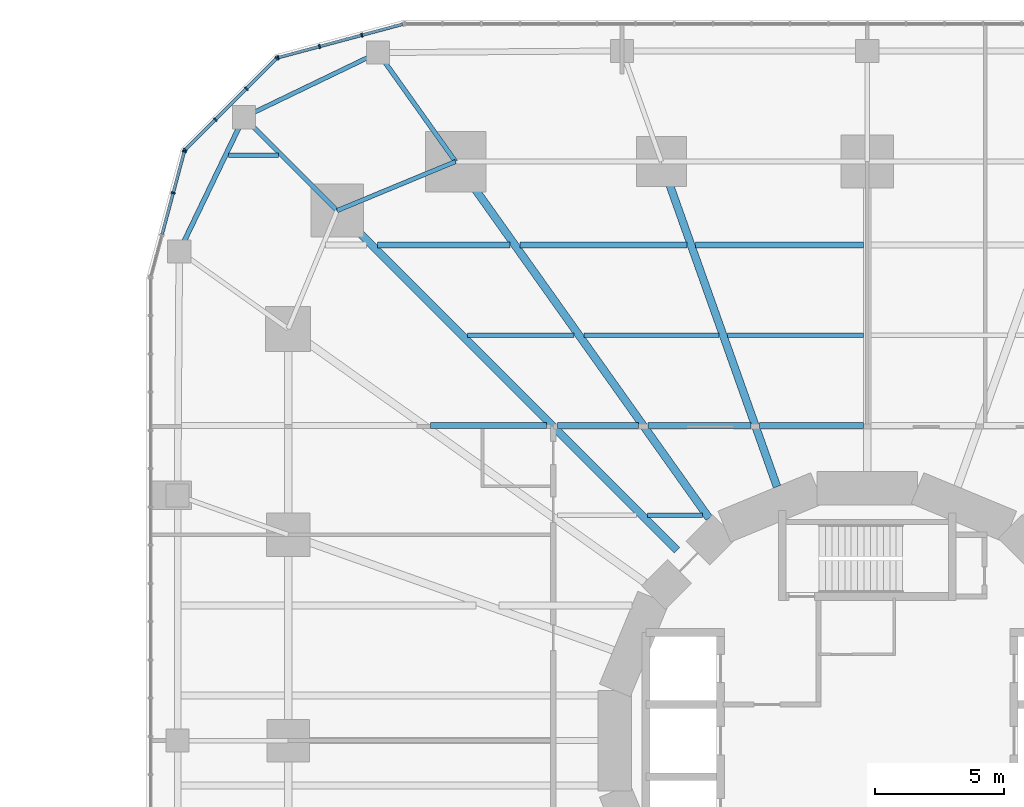
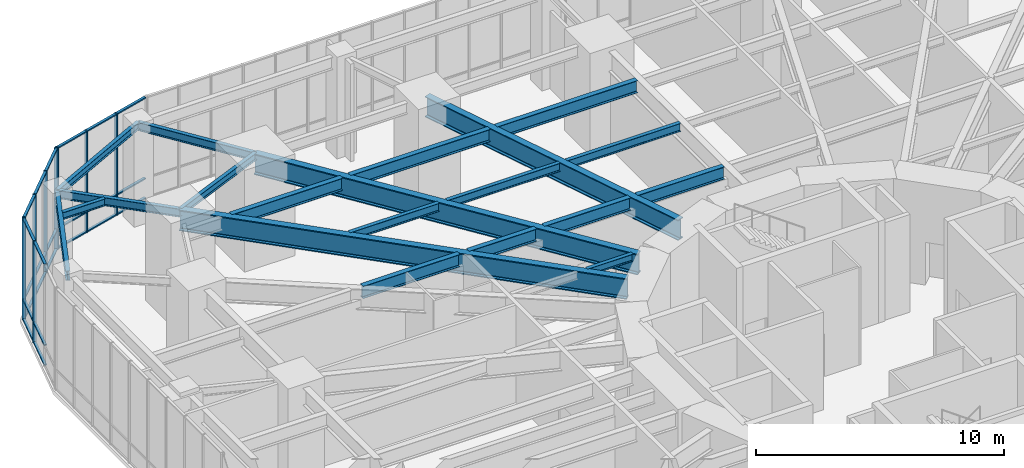
# One storey, part 10 of 24: 33 members, 20 beams, 3 elements without a shape of their own.
"""IFC4 building model written with IfcOpenShell, lengths in metres."""

from ifc_helpers import new_model, si_unit, direction, frame, origin, origin_2d, place, context, subcontext, project, spatial, rectangle, i_section, extrude, material, material_profile, profile_set, type_object, element, aggregate, save


model = new_model("IFC4")

# Units and contexts
model_context = context("Model", 3, precision=1e-05, world=origin(), true_north=direction((0.0, 1.0)))
body_context = subcontext(model_context, "Body", "Model", "MODEL_VIEW")
ifc_project = project(units=[si_unit("LENGTHUNIT", "METRE"), si_unit("AREAUNIT", "SQUARE_METRE"), si_unit("VOLUMEUNIT", "CUBIC_METRE"), si_unit("PLANEANGLEUNIT", "RADIAN"), si_unit("MASSUNIT", "GRAM", prefix="KILO")], contexts=[model_context])

# Site, building, storey
site_placement = place(None, origin())
site = spatial("IfcSite", under=ifc_project, at=site_placement, CompositionType="ELEMENT")
building_placement = place(site_placement, origin())
building = spatial("IfcBuilding", under=site, at=building_placement, Name="Nakasero Lantern House", CompositionType="ELEMENT")
storey_placement = place(building_placement, frame((0.0, 0.0, 6.0)))
storey = spatial("IfcBuildingStorey", under=building, at=storey_placement, Name="L01", CompositionType="ELEMENT", Elevation=6.0)

# Beams
ifc_material_1 = material(Name="Steel S355", Category="steel")
ifc_material_profile_1 = material_profile(ifc_material_1, i_section(OverallWidth=0.17138671875, OverallDepth=0.35498046875, WebThickness=0.00732421875, FlangeThickness=0.011474609375, FilletRadius=0.01025390625, at=origin_2d()), Name="UB 356x171x51")
ifc_profile_set_1 = profile_set([ifc_material_profile_1], Name="Steel S355")
beam_type_1 = type_object("IfcBeamType", Name="Infill beam UB 356x171x51", PredefinedType="JOIST", material=ifc_profile_set_1)
beam_1_placement = place(storey_placement, frame((-8.533935546875, 8.75, 4.62255859375), z_axis=(1.0, 0.0, 0.0), x_axis=(0.0, 1.0, 0.0)))
element("IfcBeam", 1, at=beam_1_placement, inside=storey, type_object=beam_type_1, Name="Infill beam L02 11.2", PredefinedType="JOIST", context=body_context, shape_type="SweptSolid", body=[
    extrude(i_section(OverallWidth=0.17138671875, OverallDepth=0.35498046875, WebThickness=0.00732421875, FlangeThickness=0.011474609375, FilletRadius=0.01025390625, at=origin_2d()), origin(), (0.0, 0.0, 1.0), 2.124267578125),
])
beam_2_placement = place(storey_placement, frame((-24.82666015625, 22.75, 4.62255859375), z_axis=(1.0, 0.0, 0.0), x_axis=(0.0, 1.0, 0.0)))
element("IfcBeam", 2, at=beam_2_placement, inside=storey, type_object=beam_type_1, Name="Infill beam L02 15.1", PredefinedType="JOIST", context=body_context, shape_type="SweptSolid", body=[
    extrude(i_section(OverallWidth=0.17138671875, OverallDepth=0.35498046875, WebThickness=0.00732421875, FlangeThickness=0.011474609375, FilletRadius=0.01025390625, at=origin_2d()), origin(), (0.0, 0.0, 1.0), 1.950927734375),
])
ifc_material_2 = material(Name="Steel S355", Category="steel")
ifc_material_profile_2 = material_profile(ifc_material_2, i_section(OverallWidth=0.177978515625, OverallDepth=0.406494140625, WebThickness=0.0078125, FlangeThickness=0.0126953125, FilletRadius=0.01025390625, at=origin_2d()), Name="UB 406x178x60")
ifc_profile_set_2 = profile_set([ifc_material_profile_2], Name="Steel S355")
beam_type_2 = type_object("IfcBeamType", Name="Infill beam UB 406x178x60", PredefinedType="JOIST", material=ifc_profile_set_2)
beam_3_placement = place(storey_placement, frame((-15.533935546875, 15.75, 4.5966796875), z_axis=(1.0, 0.0, 0.0), x_axis=(0.0, 1.0, 0.0)))
element("IfcBeam", 3, at=beam_3_placement, inside=storey, type_object=beam_type_2, Name="Infill beam L02 13.1", PredefinedType="JOIST", context=body_context, shape_type="SweptSolid", body=[
    extrude(i_section(OverallWidth=0.177978515625, OverallDepth=0.406494140625, WebThickness=0.0078125, FlangeThickness=0.0126953125, FilletRadius=0.01025390625, at=origin_2d()), origin(), (0.0, 0.0, 1.0), 4.146484375),
])
beam_4_placement = place(storey_placement, frame((-11.0126953125, 15.75, 4.5966796875), z_axis=(1.0, 0.0, 0.0), x_axis=(0.0, 1.0, 0.0)))
element("IfcBeam", 4, at=beam_4_placement, inside=storey, type_object=beam_type_2, Name="Infill beam L02 13.2", PredefinedType="JOIST", context=body_context, shape_type="SweptSolid", body=[
    extrude(i_section(OverallWidth=0.177978515625, OverallDepth=0.406494140625, WebThickness=0.0078125, FlangeThickness=0.0126953125, FilletRadius=0.01025390625, at=origin_2d()), origin(), (0.0, 0.0, 1.0), 5.25244140625),
])
beam_5_placement = place(storey_placement, frame((-5.439697265625, 15.75, 4.5966796875), z_axis=(1.0, 0.0, 0.0), x_axis=(0.0, 1.0, 0.0)))
element("IfcBeam", 5, at=beam_5_placement, inside=storey, type_object=beam_type_2, Name="Infill beam L02 13.3", PredefinedType="JOIST", context=body_context, shape_type="SweptSolid", body=[
    extrude(i_section(OverallWidth=0.177978515625, OverallDepth=0.406494140625, WebThickness=0.0078125, FlangeThickness=0.0126953125, FilletRadius=0.01025390625, at=origin_2d()), origin(), (0.0, 0.0, 1.0), 5.289794921875),
])
ifc_material_3 = material(Name="Steel S355", Category="steel")
ifc_material_profile_3 = material_profile(ifc_material_3, i_section(OverallWidth=0.22900390625, OverallDepth=0.6123046875, WebThickness=0.011962890625, FlangeThickness=0.01953125, FilletRadius=0.0126953125, at=origin_2d()), Name="UB 610x229x125")
ifc_profile_set_3 = profile_set([ifc_material_profile_3], Name="Steel S355")
beam_type_3 = type_object("IfcBeamType", Name="Infill beam UB 610x229x125", PredefinedType="JOIST", material=ifc_profile_set_3)
beam_6_placement = place(storey_placement, frame((-16.965087890625, 12.25, 4.493896484375), z_axis=(1.0, 0.0, 0.0), x_axis=(0.0, 1.0, 0.0)))
element("IfcBeam", 6, at=beam_6_placement, inside=storey, type_object=beam_type_3, Name="Infill beam L02 12.3", PredefinedType="JOIST", context=body_context, shape_type="SweptSolid", body=[
    extrude(i_section(OverallWidth=0.22900390625, OverallDepth=0.6123046875, WebThickness=0.011962890625, FlangeThickness=0.01953125, FilletRadius=0.0126953125, at=origin_2d()), origin(), (0.0, 0.0, 1.0), 4.4990234375),
])
beam_7_placement = place(storey_placement, frame((-12.033935546875, 12.25, 4.493896484375), z_axis=(1.0, 0.0, 0.0), x_axis=(0.0, 1.0, 0.0)))
element("IfcBeam", 7, at=beam_7_placement, inside=storey, type_object=beam_type_3, Name="Infill beam L02 12.4", PredefinedType="JOIST", context=body_context, shape_type="SweptSolid", body=[
    extrude(i_section(OverallWidth=0.22900390625, OverallDepth=0.6123046875, WebThickness=0.011962890625, FlangeThickness=0.01953125, FilletRadius=0.0126953125, at=origin_2d()), origin(), (0.0, 0.0, 1.0), 3.135498046875),
])
beam_8_placement = place(storey_placement, frame((-8.523681640625, 12.25, 4.493896484375), z_axis=(1.0, 0.0, 0.0), x_axis=(0.0, 1.0, 0.0)))
element("IfcBeam", 8, at=beam_8_placement, inside=storey, type_object=beam_type_3, Name="Infill beam L02 12.5", PredefinedType="JOIST", context=body_context, shape_type="SweptSolid", body=[
    extrude(i_section(OverallWidth=0.22900390625, OverallDepth=0.6123046875, WebThickness=0.011962890625, FlangeThickness=0.01953125, FilletRadius=0.0126953125, at=origin_2d()), origin(), (0.0, 0.0, 1.0), 4.0078125),
])
beam_9_placement = place(storey_placement, frame((-4.1953125, 12.25, 4.493896484375), z_axis=(1.0, 0.0, 0.0), x_axis=(0.0, 1.0, 0.0)))
element("IfcBeam", 9, at=beam_9_placement, inside=storey, type_object=beam_type_3, Name="Infill beam L02 12.6", PredefinedType="JOIST", context=body_context, shape_type="SweptSolid", body=[
    extrude(i_section(OverallWidth=0.22900390625, OverallDepth=0.6123046875, WebThickness=0.011962890625, FlangeThickness=0.01953125, FilletRadius=0.0126953125, at=origin_2d()), origin(), (0.0, 0.0, 1.0), 4.04541015625),
])
beam_10_placement = place(storey_placement, frame((-19.033935546875, 19.25, 4.493896484375), z_axis=(1.0, 0.0, 0.0), x_axis=(0.0, 1.0, 0.0)))
element("IfcBeam", 10, at=beam_10_placement, inside=storey, type_object=beam_type_3, Name="Infill beam L02 14.2", PredefinedType="JOIST", context=body_context, shape_type="SweptSolid", body=[
    extrude(i_section(OverallWidth=0.22900390625, OverallDepth=0.6123046875, WebThickness=0.011962890625, FlangeThickness=0.01953125, FilletRadius=0.0126953125, at=origin_2d()), origin(), (0.0, 0.0, 1.0), 5.15771484375),
])
beam_11_placement = place(storey_placement, frame((-13.50146484375, 19.25, 4.493896484375), z_axis=(1.0, 0.0, 0.0), x_axis=(0.0, 1.0, 0.0)))
element("IfcBeam", 11, at=beam_11_placement, inside=storey, type_object=beam_type_3, Name="Infill beam L02 14.3", PredefinedType="JOIST", context=body_context, shape_type="SweptSolid", body=[
    extrude(i_section(OverallWidth=0.22900390625, OverallDepth=0.6123046875, WebThickness=0.011962890625, FlangeThickness=0.01953125, FilletRadius=0.0126953125, at=origin_2d()), origin(), (0.0, 0.0, 1.0), 6.496826171875),
])
beam_12_placement = place(storey_placement, frame((-6.68408203125, 19.25, 4.493896484375), z_axis=(1.0, 0.0, 0.0), x_axis=(0.0, 1.0, 0.0)))
element("IfcBeam", 12, at=beam_12_placement, inside=storey, type_object=beam_type_3, Name="Infill beam L02 14.4", PredefinedType="JOIST", context=body_context, shape_type="SweptSolid", body=[
    extrude(i_section(OverallWidth=0.22900390625, OverallDepth=0.6123046875, WebThickness=0.011962890625, FlangeThickness=0.01953125, FilletRadius=0.0126953125, at=origin_2d()), origin(), (0.0, 0.0, 1.0), 6.5341796875),
])

# Curtain wall, members
ifc_material_4 = material(Name="Aluminium 6063-T6 and glass", Category="aluminium")
curtain_wall_type = type_object("IfcCurtainWallType", Name="Podium curtain wall CW-2", PredefinedType="USERDEFINED", material=ifc_material_4)
curtain_wall_1_placement = place(storey_placement, origin())
curtain_wall_1 = element("IfcCurtainWall", 13, at=curtain_wall_1_placement, inside=storey, type_object=curtain_wall_type, Name="Curtain wall CW-2 L01", ObjectType="STICK CURTAIN WALL", PredefinedType="USERDEFINED")
ifc_material_5 = material(Name="Aluminium 6063-T6", Category="aluminium")
ifc_material_profile_4 = material_profile(ifc_material_5, rectangle(XDim=0.06005859375, YDim=0.159912109375, at=origin_2d()), Name="CW-2 mullion 60x160")
ifc_profile_set_4 = profile_set([ifc_material_profile_4], Name="Aluminium 6063-T6")
member_type_1 = type_object("IfcMemberType", Name="Mullion CW-2", PredefinedType="MULLION", material=ifc_profile_set_4)
member_1_placement = place(storey_placement, frame((-19.6416015625, 27.41015625, 0.0), z_axis=(0.0, 0.0, 1.0), x_axis=(-0.965925826289, -0.258819045103, 0.0)))
member_1 = element("IfcMember", 14, at=member_1_placement, type_object=member_type_1, Name="CW-2 mullion 2", PredefinedType="MULLION", context=body_context, shape_type="SweptSolid", body=[
    extrude(rectangle(XDim=0.06005859375, YDim=0.159912109375, at=origin_2d()), origin(), (0.0, 0.0, 1.0), 5.0),
])
member_2_placement = place(storey_placement, frame((-21.283447265625, 26.97021484375, 0.0), z_axis=(0.0, 0.0, 1.0), x_axis=(-0.965925826289, -0.258819045103, 0.0)))
member_2 = element("IfcMember", 15, at=member_2_placement, type_object=member_type_1, Name="CW-2 mullion 3", PredefinedType="MULLION", context=body_context, shape_type="SweptSolid", body=[
    extrude(rectangle(XDim=0.06005859375, YDim=0.159912109375, at=origin_2d()), origin(), (0.0, 0.0, 1.0), 5.0),
])
member_3_placement = place(storey_placement, frame((-22.89599609375, 26.5380859375, 0.0), z_axis=(0.0, 0.0, 1.0), x_axis=(-0.965925826289, -0.258819045103, 0.0)))
member_3 = element("IfcMember", 16, at=member_3_placement, type_object=member_type_1, Name="CW-2 mullion 4", PredefinedType="MULLION", context=body_context, shape_type="SweptSolid", body=[
    extrude(rectangle(XDim=0.06005859375, YDim=0.159912109375, at=origin_2d()), origin(), (0.0, 0.0, 1.0), 5.0),
])

curtain_wall_2_placement = place(storey_placement, origin())
curtain_wall_2 = element("IfcCurtainWall", 17, at=curtain_wall_2_placement, inside=storey, type_object=curtain_wall_type, Name="Curtain wall CW-2 L01", ObjectType="STICK CURTAIN WALL", PredefinedType="USERDEFINED")
member_4_placement = place(storey_placement, frame((-22.9462890625, 26.509033203125, 0.0), z_axis=(0.0, 0.0, 1.0), x_axis=(-0.707106781187, -0.707106781187, 0.0)))
member_4 = element("IfcMember", 18, at=member_4_placement, type_object=member_type_1, Name="CW-2 mullion 1", PredefinedType="MULLION", context=body_context, shape_type="SweptSolid", body=[
    extrude(rectangle(XDim=0.06005859375, YDim=0.159912109375, at=origin_2d()), origin(), (0.0, 0.0, 1.0), 5.0),
])
member_5_placement = place(storey_placement, frame((-24.126708984375, 25.32861328125, 0.0), z_axis=(0.0, 0.0, 1.0), x_axis=(-0.707106781187, -0.707106781187, 0.0)))
member_5 = element("IfcMember", 19, at=member_5_placement, type_object=member_type_1, Name="CW-2 mullion 2", PredefinedType="MULLION", context=body_context, shape_type="SweptSolid", body=[
    extrude(rectangle(XDim=0.06005859375, YDim=0.159912109375, at=origin_2d()), origin(), (0.0, 0.0, 1.0), 5.0),
])
member_6_placement = place(storey_placement, frame((-25.32861328125, 24.126708984375, 0.0), z_axis=(0.0, 0.0, 1.0), x_axis=(-0.707106781187, -0.707106781187, 0.0)))
member_6 = element("IfcMember", 20, at=member_6_placement, type_object=member_type_1, Name="CW-2 mullion 3", PredefinedType="MULLION", context=body_context, shape_type="SweptSolid", body=[
    extrude(rectangle(XDim=0.06005859375, YDim=0.159912109375, at=origin_2d()), origin(), (0.0, 0.0, 1.0), 5.0),
])
member_7_placement = place(storey_placement, frame((-26.509033203125, 22.9462890625, 0.0), z_axis=(0.0, 0.0, 1.0), x_axis=(-0.707106781187, -0.707106781187, 0.0)))
member_7 = element("IfcMember", 21, at=member_7_placement, type_object=member_type_1, Name="CW-2 mullion 4", PredefinedType="MULLION", context=body_context, shape_type="SweptSolid", body=[
    extrude(rectangle(XDim=0.06005859375, YDim=0.159912109375, at=origin_2d()), origin(), (0.0, 0.0, 1.0), 5.0),
])

curtain_wall_3_placement = place(storey_placement, origin())
curtain_wall_3 = element("IfcCurtainWall", 22, at=curtain_wall_3_placement, inside=storey, type_object=curtain_wall_type, Name="Curtain wall CW-2 L01", ObjectType="STICK CURTAIN WALL", PredefinedType="USERDEFINED")
member_8_placement = place(storey_placement, frame((-26.5380859375, 22.89599609375, 0.0), z_axis=(0.0, 0.0, 1.0), x_axis=(-0.258819045103, -0.965925826289, 0.0)))
member_8 = element("IfcMember", 23, at=member_8_placement, type_object=member_type_1, Name="CW-2 mullion 1", PredefinedType="MULLION", context=body_context, shape_type="SweptSolid", body=[
    extrude(rectangle(XDim=0.06005859375, YDim=0.159912109375, at=origin_2d()), origin(), (0.0, 0.0, 1.0), 5.0),
])
member_9_placement = place(storey_placement, frame((-26.97021484375, 21.283447265625, 0.0), z_axis=(0.0, 0.0, 1.0), x_axis=(-0.258819045103, -0.965925826289, 0.0)))
member_9 = element("IfcMember", 24, at=member_9_placement, type_object=member_type_1, Name="CW-2 mullion 2", PredefinedType="MULLION", context=body_context, shape_type="SweptSolid", body=[
    extrude(rectangle(XDim=0.06005859375, YDim=0.159912109375, at=origin_2d()), origin(), (0.0, 0.0, 1.0), 5.0),
])

# Beams
ifc_material_6 = material(Name="Steel S355", Category="steel")
ifc_material_profile_5 = material_profile(ifc_material_6, i_section(OverallWidth=0.302001953125, OverallDepth=1.008056640625, WebThickness=0.02099609375, FlangeThickness=0.0400390625, FilletRadius=0.030029296875, at=origin_2d()), Name="UB 1016x305x349")
ifc_profile_set_5 = profile_set([ifc_material_profile_5], Name="Steel S355")
beam_type_4 = type_object("IfcBeamType", Name="Primary beam UB 1016x305x349, span 12 to 15 m", PredefinedType="BEAM", material=ifc_profile_set_5)
beam_13_placement = place(storey_placement, frame((-8.0, 22.5, 4.2958984375), z_axis=(0.335010745293, -0.942214307118, 0.0), x_axis=(0.942214307118, 0.335010745293, 0.0)))
element("IfcBeam", 25, at=beam_13_placement, inside=storey, type_object=beam_type_4, Name="Primary beam L02 B1-C10", PredefinedType="BEAM", context=body_context, shape_type="SweptSolid", body=[
    extrude(i_section(OverallWidth=0.302001953125, OverallDepth=1.008056640625, WebThickness=0.02099609375, FlangeThickness=0.0400390625, FilletRadius=0.030029296875, at=origin_2d()), origin(), (0.0, 0.0, 1.0), 13.408447265625),
])
ifc_material_7 = material(Name="Steel S355", Category="steel")
ifc_material_profile_6 = material_profile(ifc_material_7, i_section(OverallWidth=0.305419921875, OverallDepth=1.026123046875, WebThickness=0.02685546875, FlangeThickness=0.049072265625, FilletRadius=0.030029296875, at=origin_2d()), Name="UB 1016x305x437")
ifc_profile_set_6 = profile_set([ifc_material_profile_6], Name="Steel S355")
beam_type_5 = type_object("IfcBeamType", Name="Primary beam UB 1016x305x437, span over 15 m", PredefinedType="BEAM", material=ifc_profile_set_6)
beam_14_placement = place(storey_placement, frame((-16.0, 22.5, 4.286865234375), z_axis=(0.579528236629, -0.814952159915, 0.0), x_axis=(0.814952159915, 0.579528236629, 0.0)))
element("IfcBeam", 26, at=beam_14_placement, inside=storey, type_object=beam_type_5, Name="Primary beam L02 B1-C11", PredefinedType="BEAM", context=body_context, shape_type="SweptSolid", body=[
    extrude(i_section(OverallWidth=0.305419921875, OverallDepth=1.026123046875, WebThickness=0.02685546875, FlangeThickness=0.049072265625, FilletRadius=0.030029296875, at=origin_2d()), origin(), (0.0, 0.0, 1.0), 17.003173828125),
])
beam_15_placement = place(storey_placement, frame((-20.59619140625, 20.59619140625, 4.286865234375), z_axis=(0.707106781187, -0.707106781187, 0.0), x_axis=(0.707106781187, 0.707106781187, 0.0)))
element("IfcBeam", 27, at=beam_15_placement, inside=storey, type_object=beam_type_5, Name="Primary beam L02 B1-C12", PredefinedType="BEAM", context=body_context, shape_type="SweptSolid", body=[
    extrude(i_section(OverallWidth=0.305419921875, OverallDepth=1.026123046875, WebThickness=0.02685546875, FlangeThickness=0.049072265625, FilletRadius=0.030029296875, at=origin_2d()), origin(), (0.0, 0.0, 1.0), 18.669677734375),
])
ifc_material_8 = material(Name="Steel S355", Category="steel")
ifc_material_profile_7 = material_profile(ifc_material_8, i_section(OverallWidth=0.177978515625, OverallDepth=0.406494140625, WebThickness=0.0078125, FlangeThickness=0.0126953125, FilletRadius=0.01025390625, at=origin_2d()), Name="UB 406x178x60")
ifc_profile_set_7 = profile_set([ifc_material_profile_7], Name="Steel S355")
beam_type_6 = type_object("IfcBeamType", Name="Primary beam UB 406x178x60, span to 6 m", PredefinedType="BEAM", material=ifc_profile_set_7)
beam_16_placement = place(storey_placement, frame((-24.22265625, 24.22265625, 4.5966796875), z_axis=(0.707106781187, -0.707106781187, 0.0), x_axis=(0.707106781187, 0.707106781187, 0.0)))
element("IfcBeam", 28, at=beam_16_placement, inside=storey, type_object=beam_type_6, Name="Primary beam L02 POD-C12", PredefinedType="BEAM", context=body_context, shape_type="SweptSolid", body=[
    extrude(i_section(OverallWidth=0.177978515625, OverallDepth=0.406494140625, WebThickness=0.0078125, FlangeThickness=0.0126953125, FilletRadius=0.01025390625, at=origin_2d()), origin(), (0.0, 0.0, 1.0), 5.128662109375),
])
ifc_material_9 = material(Name="Steel S355", Category="steel")
ifc_material_profile_8 = material_profile(ifc_material_9, i_section(OverallWidth=0.179443359375, OverallDepth=0.412841796875, WebThickness=0.009521484375, FlangeThickness=0.01611328125, FilletRadius=0.01025390625, at=origin_2d()), Name="UB 406x178x74")
ifc_profile_set_8 = profile_set([ifc_material_profile_8], Name="Steel S355")
beam_type_7 = type_object("IfcBeamType", Name="Primary beam UB 406x178x74, span to 6 m", PredefinedType="BEAM", material=ifc_profile_set_8)
beam_17_placement = place(storey_placement, frame((-19.0107421875, 26.733642578125, 4.593505859375), z_axis=(0.57954320692, -0.814941514044, 0.0), x_axis=(0.814941514044, 0.57954320692, 0.0)))
element("IfcBeam", 29, at=beam_17_placement, inside=storey, type_object=beam_type_7, Name="Primary beam L02 POD-C11", PredefinedType="BEAM", context=body_context, shape_type="SweptSolid", body=[
    extrude(i_section(OverallWidth=0.179443359375, OverallDepth=0.412841796875, WebThickness=0.009521484375, FlangeThickness=0.01611328125, FilletRadius=0.01025390625, at=origin_2d()), origin(), (0.0, 0.0, 1.0), 5.195068359375),
])
ifc_material_10 = material(Name="Steel S355", Category="steel")
ifc_material_profile_9 = material_profile(ifc_material_10, i_section(OverallWidth=0.17138671875, OverallDepth=0.35498046875, WebThickness=0.00732421875, FlangeThickness=0.011474609375, FilletRadius=0.01025390625, at=origin_2d()), Name="UB 356x171x51")
ifc_profile_set_9 = profile_set([ifc_material_profile_9], Name="Steel S355")
beam_type_8 = type_object("IfcBeamType", Name="Ring beam UB 356x171x51", PredefinedType="BEAM", material=ifc_profile_set_9)
beam_18_placement = place(storey_placement, frame((-16.0, 22.5, 4.62255859375), z_axis=(-0.923879264016, -0.382684080569, 0.0), x_axis=(0.382684080569, -0.923879264016, 0.0)))
element("IfcBeam", 30, at=beam_18_placement, inside=storey, type_object=beam_type_8, Name="Ring beam L02 B1-C11", PredefinedType="BEAM", context=body_context, shape_type="SweptSolid", body=[
    extrude(i_section(OverallWidth=0.17138671875, OverallDepth=0.35498046875, WebThickness=0.00732421875, FlangeThickness=0.011474609375, FilletRadius=0.01025390625, at=origin_2d()), origin(), (0.0, 0.0, 1.0), 4.974853515625),
])
beam_19_placement = place(storey_placement, frame((-19.0107421875, 26.733642578125, 4.62255859375), z_axis=(-0.900897176145, -0.434032577134, 0.0), x_axis=(0.434032577134, -0.900897176145, 0.0)))
element("IfcBeam", 31, at=beam_19_placement, inside=storey, type_object=beam_type_8, Name="Ring beam L02 POD-C11", PredefinedType="BEAM", context=body_context, shape_type="SweptSolid", body=[
    extrude(i_section(OverallWidth=0.17138671875, OverallDepth=0.35498046875, WebThickness=0.00732421875, FlangeThickness=0.011474609375, FilletRadius=0.01025390625, at=origin_2d()), origin(), (0.0, 0.0, 1.0), 5.78515625),
])
ifc_material_11 = material(Name="Steel S355", Category="steel")
ifc_material_profile_10 = material_profile(ifc_material_11, i_section(OverallWidth=0.18994140625, OverallDepth=0.453369140625, WebThickness=0.008544921875, FlangeThickness=0.0126953125, FilletRadius=0.01025390625, at=origin_2d()), Name="UB 457x191x67")
ifc_profile_set_10 = profile_set([ifc_material_profile_10], Name="Steel S355")
beam_type_9 = type_object("IfcBeamType", Name="Ring beam UB 457x191x67", PredefinedType="BEAM", material=ifc_profile_set_10)
beam_20_placement = place(storey_placement, frame((-24.22265625, 24.22265625, 4.5732421875), z_axis=(-0.434032577134, -0.900897176145, 0.0), x_axis=(0.900897176145, -0.434032577134, 0.0)))
element("IfcBeam", 32, at=beam_20_placement, inside=storey, type_object=beam_type_9, Name="Ring beam L02 POD-C12", PredefinedType="BEAM", context=body_context, shape_type="SweptSolid", body=[
    extrude(i_section(OverallWidth=0.18994140625, OverallDepth=0.453369140625, WebThickness=0.008544921875, FlangeThickness=0.0126953125, FilletRadius=0.01025390625, at=origin_2d()), origin(), (0.0, 0.0, 1.0), 5.78515625),
])

# Member
ifc_material_12 = material(Name="Aluminium 6063-T6", Category="aluminium")
ifc_material_profile_11 = material_profile(ifc_material_12, rectangle(XDim=0.06005859375, YDim=0.1201171875, at=origin_2d()), Name="CW-2 transom 60x120")
ifc_profile_set_11 = profile_set([ifc_material_profile_11], Name="Aluminium 6063-T6")
member_type_2 = type_object("IfcMemberType", Name="Transom CW-2", PredefinedType="USERDEFINED", material=ifc_profile_set_11)
member_10_placement = place(storey_placement, frame((-18.057861328125, 27.83447265625, 0.030029296875), z_axis=(-0.96594737463, -0.258738612203, 0.0), x_axis=(0.0, 0.0, 1.0)))
member_10 = element("IfcMember", 33, at=member_10_placement, type_object=member_type_2, Name="CW-2 transom 1.1", ObjectType="TRANSOM", PredefinedType="USERDEFINED", context=body_context, shape_type="SweptSolid", body=[
    extrude(rectangle(XDim=0.06005859375, YDim=0.1201171875, at=origin_2d()), origin(), (0.0, 0.0, 1.0), 1.60986328125),
])

member_11_placement = place(storey_placement, frame((-18.057861328125, 27.83447265625, 1.0), z_axis=(-0.96594737463, -0.258738612203, 0.0), x_axis=(0.0, 0.0, 1.0)))
member_11 = element("IfcMember", 34, at=member_11_placement, type_object=member_type_2, Name="CW-2 transom 1.2", ObjectType="TRANSOM", PredefinedType="USERDEFINED", context=body_context, shape_type="SweptSolid", body=[
    extrude(rectangle(XDim=0.06005859375, YDim=0.1201171875, at=origin_2d()), origin(), (0.0, 0.0, 1.0), 1.60986328125),
])

member_12_placement = place(storey_placement, frame((-18.057861328125, 27.83447265625, 4.969970703125), z_axis=(-0.96594737463, -0.258738612203, 0.0), x_axis=(0.0, 0.0, 1.0)))
member_12 = element("IfcMember", 35, at=member_12_placement, type_object=member_type_2, Name="CW-2 transom 1.3", ObjectType="TRANSOM", PredefinedType="USERDEFINED", context=body_context, shape_type="SweptSolid", body=[
    extrude(rectangle(XDim=0.06005859375, YDim=0.1201171875, at=origin_2d()), origin(), (0.0, 0.0, 1.0), 1.60986328125),
])

member_13_placement = place(storey_placement, frame((-19.670654296875, 27.40234375, 0.030029296875), z_axis=(-0.965932765235, -0.258793147214, 0.0), x_axis=(0.0, 0.0, 1.0)))
member_13 = element("IfcMember", 36, at=member_13_placement, type_object=member_type_2, Name="CW-2 transom 2.1", ObjectType="TRANSOM", PredefinedType="USERDEFINED", context=body_context, shape_type="SweptSolid", body=[
    extrude(rectangle(XDim=0.06005859375, YDim=0.1201171875, at=origin_2d()), origin(), (0.0, 0.0, 1.0), 1.6396484375),
])

member_14_placement = place(storey_placement, frame((-19.670654296875, 27.40234375, 1.0), z_axis=(-0.965932765235, -0.258793147214, 0.0), x_axis=(0.0, 0.0, 1.0)))
member_14 = element("IfcMember", 37, at=member_14_placement, type_object=member_type_2, Name="CW-2 transom 2.2", ObjectType="TRANSOM", PredefinedType="USERDEFINED", context=body_context, shape_type="SweptSolid", body=[
    extrude(rectangle(XDim=0.06005859375, YDim=0.1201171875, at=origin_2d()), origin(), (0.0, 0.0, 1.0), 1.6396484375),
])

member_15_placement = place(storey_placement, frame((-19.670654296875, 27.40234375, 4.969970703125), z_axis=(-0.965932765235, -0.258793147214, 0.0), x_axis=(0.0, 0.0, 1.0)))
member_15 = element("IfcMember", 38, at=member_15_placement, type_object=member_type_2, Name="CW-2 transom 2.3", ObjectType="TRANSOM", PredefinedType="USERDEFINED", context=body_context, shape_type="SweptSolid", body=[
    extrude(rectangle(XDim=0.06005859375, YDim=0.1201171875, at=origin_2d()), origin(), (0.0, 0.0, 1.0), 1.6396484375),
])

member_16_placement = place(storey_placement, frame((-21.312255859375, 26.96240234375, 0.030029296875), z_axis=(-0.965937219158, -0.258776522595, 0.0), x_axis=(0.0, 0.0, 1.0)))
member_16 = element("IfcMember", 39, at=member_16_placement, type_object=member_type_2, Name="CW-2 transom 3.1", ObjectType="TRANSOM", PredefinedType="USERDEFINED", context=body_context, shape_type="SweptSolid", body=[
    extrude(rectangle(XDim=0.06005859375, YDim=0.1201171875, at=origin_2d()), origin(), (0.0, 0.0, 1.0), 1.609619140625),
])

member_17_placement = place(storey_placement, frame((-21.312255859375, 26.96240234375, 1.0), z_axis=(-0.965937219158, -0.258776522595, 0.0), x_axis=(0.0, 0.0, 1.0)))
member_17 = element("IfcMember", 40, at=member_17_placement, type_object=member_type_2, Name="CW-2 transom 3.2", ObjectType="TRANSOM", PredefinedType="USERDEFINED", context=body_context, shape_type="SweptSolid", body=[
    extrude(rectangle(XDim=0.06005859375, YDim=0.1201171875, at=origin_2d()), origin(), (0.0, 0.0, 1.0), 1.609619140625),
])

member_18_placement = place(storey_placement, frame((-21.312255859375, 26.96240234375, 4.969970703125), z_axis=(-0.965937219158, -0.258776522595, 0.0), x_axis=(0.0, 0.0, 1.0)))
member_18 = element("IfcMember", 41, at=member_18_placement, type_object=member_type_2, Name="CW-2 transom 3.3", ObjectType="TRANSOM", PredefinedType="USERDEFINED", context=body_context, shape_type="SweptSolid", body=[
    extrude(rectangle(XDim=0.06005859375, YDim=0.1201171875, at=origin_2d()), origin(), (0.0, 0.0, 1.0), 1.609619140625),
])

aggregate(curtain_wall_1, [member_1, member_2, member_3, member_10, member_11, member_12, member_13, member_14, member_15, member_16, member_17, member_18])

member_19_placement = place(storey_placement, frame((-22.967529296875, 26.488037109375, 0.030029296875), z_axis=(-0.707030931707, -0.707182622531, 0.0), x_axis=(0.0, 0.0, 1.0)))
member_19 = element("IfcMember", 42, at=member_19_placement, type_object=member_type_2, Name="CW-2 transom 1.1", ObjectType="TRANSOM", PredefinedType="USERDEFINED", context=body_context, shape_type="SweptSolid", body=[
    extrude(rectangle(XDim=0.06005859375, YDim=0.1201171875, at=origin_2d()), origin(), (0.0, 0.0, 1.0), 1.609375),
])

member_20_placement = place(storey_placement, frame((-22.967529296875, 26.488037109375, 1.0), z_axis=(-0.707030931707, -0.707182622531, 0.0), x_axis=(0.0, 0.0, 1.0)))
member_20 = element("IfcMember", 43, at=member_20_placement, type_object=member_type_2, Name="CW-2 transom 1.2", ObjectType="TRANSOM", PredefinedType="USERDEFINED", context=body_context, shape_type="SweptSolid", body=[
    extrude(rectangle(XDim=0.06005859375, YDim=0.1201171875, at=origin_2d()), origin(), (0.0, 0.0, 1.0), 1.609375),
])

member_21_placement = place(storey_placement, frame((-22.967529296875, 26.488037109375, 4.969970703125), z_axis=(-0.707030931707, -0.707182622531, 0.0), x_axis=(0.0, 0.0, 1.0)))
member_21 = element("IfcMember", 44, at=member_21_placement, type_object=member_type_2, Name="CW-2 transom 1.3", ObjectType="TRANSOM", PredefinedType="USERDEFINED", context=body_context, shape_type="SweptSolid", body=[
    extrude(rectangle(XDim=0.06005859375, YDim=0.1201171875, at=origin_2d()), origin(), (0.0, 0.0, 1.0), 1.609375),
])

member_22_placement = place(storey_placement, frame((-24.14794921875, 25.307373046875, 0.030029296875), z_axis=(-0.707106781187, -0.707106781187, 0.0), x_axis=(0.0, 0.0, 1.0)))
member_22 = element("IfcMember", 45, at=member_22_placement, type_object=member_type_2, Name="CW-2 transom 2.1", ObjectType="TRANSOM", PredefinedType="USERDEFINED", context=body_context, shape_type="SweptSolid", body=[
    extrude(rectangle(XDim=0.06005859375, YDim=0.1201171875, at=origin_2d()), origin(), (0.0, 0.0, 1.0), 1.6396484375),
])

member_23_placement = place(storey_placement, frame((-24.14794921875, 25.307373046875, 1.0), z_axis=(-0.707106781187, -0.707106781187, 0.0), x_axis=(0.0, 0.0, 1.0)))
member_23 = element("IfcMember", 46, at=member_23_placement, type_object=member_type_2, Name="CW-2 transom 2.2", ObjectType="TRANSOM", PredefinedType="USERDEFINED", context=body_context, shape_type="SweptSolid", body=[
    extrude(rectangle(XDim=0.06005859375, YDim=0.1201171875, at=origin_2d()), origin(), (0.0, 0.0, 1.0), 1.6396484375),
])

member_24_placement = place(storey_placement, frame((-24.14794921875, 25.307373046875, 4.969970703125), z_axis=(-0.707106781187, -0.707106781187, 0.0), x_axis=(0.0, 0.0, 1.0)))
member_24 = element("IfcMember", 47, at=member_24_placement, type_object=member_type_2, Name="CW-2 transom 2.3", ObjectType="TRANSOM", PredefinedType="USERDEFINED", context=body_context, shape_type="SweptSolid", body=[
    extrude(rectangle(XDim=0.06005859375, YDim=0.1201171875, at=origin_2d()), origin(), (0.0, 0.0, 1.0), 1.6396484375),
])

member_25_placement = place(storey_placement, frame((-25.349853515625, 24.10546875, 0.030029296875), z_axis=(-0.707182622531, -0.707030931707, 0.0), x_axis=(0.0, 0.0, 1.0)))
member_25 = element("IfcMember", 48, at=member_25_placement, type_object=member_type_2, Name="CW-2 transom 3.1", ObjectType="TRANSOM", PredefinedType="USERDEFINED", context=body_context, shape_type="SweptSolid", body=[
    extrude(rectangle(XDim=0.06005859375, YDim=0.1201171875, at=origin_2d()), origin(), (0.0, 0.0, 1.0), 1.609375),
])

member_26_placement = place(storey_placement, frame((-25.349853515625, 24.10546875, 1.0), z_axis=(-0.707182622531, -0.707030931707, 0.0), x_axis=(0.0, 0.0, 1.0)))
member_26 = element("IfcMember", 49, at=member_26_placement, type_object=member_type_2, Name="CW-2 transom 3.2", ObjectType="TRANSOM", PredefinedType="USERDEFINED", context=body_context, shape_type="SweptSolid", body=[
    extrude(rectangle(XDim=0.06005859375, YDim=0.1201171875, at=origin_2d()), origin(), (0.0, 0.0, 1.0), 1.609375),
])

member_27_placement = place(storey_placement, frame((-25.349853515625, 24.10546875, 4.969970703125), z_axis=(-0.707182622531, -0.707030931707, 0.0), x_axis=(0.0, 0.0, 1.0)))
member_27 = element("IfcMember", 50, at=member_27_placement, type_object=member_type_2, Name="CW-2 transom 3.3", ObjectType="TRANSOM", PredefinedType="USERDEFINED", context=body_context, shape_type="SweptSolid", body=[
    extrude(rectangle(XDim=0.06005859375, YDim=0.1201171875, at=origin_2d()), origin(), (0.0, 0.0, 1.0), 1.609375),
])

aggregate(curtain_wall_2, [member_4, member_5, member_6, member_7, member_19, member_20, member_21, member_22, member_23, member_24, member_25, member_26, member_27])

member_28_placement = place(storey_placement, frame((-26.5458984375, 22.866943359375, 0.030029296875), z_axis=(-0.258776522595, -0.965937219158, 0.0), x_axis=(0.0, 0.0, 1.0)))
member_28 = element("IfcMember", 51, at=member_28_placement, type_object=member_type_2, Name="CW-2 transom 1.1", ObjectType="TRANSOM", PredefinedType="USERDEFINED", context=body_context, shape_type="SweptSolid", body=[
    extrude(rectangle(XDim=0.06005859375, YDim=0.1201171875, at=origin_2d()), origin(), (0.0, 0.0, 1.0), 1.609619140625),
])

member_29_placement = place(storey_placement, frame((-26.5458984375, 22.866943359375, 1.0), z_axis=(-0.258776522595, -0.965937219158, 0.0), x_axis=(0.0, 0.0, 1.0)))
member_29 = element("IfcMember", 52, at=member_29_placement, type_object=member_type_2, Name="CW-2 transom 1.2", ObjectType="TRANSOM", PredefinedType="USERDEFINED", context=body_context, shape_type="SweptSolid", body=[
    extrude(rectangle(XDim=0.06005859375, YDim=0.1201171875, at=origin_2d()), origin(), (0.0, 0.0, 1.0), 1.609619140625),
])

member_30_placement = place(storey_placement, frame((-26.5458984375, 22.866943359375, 4.969970703125), z_axis=(-0.258776522595, -0.965937219158, 0.0), x_axis=(0.0, 0.0, 1.0)))
member_30 = element("IfcMember", 53, at=member_30_placement, type_object=member_type_2, Name="CW-2 transom 1.3", ObjectType="TRANSOM", PredefinedType="USERDEFINED", context=body_context, shape_type="SweptSolid", body=[
    extrude(rectangle(XDim=0.06005859375, YDim=0.1201171875, at=origin_2d()), origin(), (0.0, 0.0, 1.0), 1.609619140625),
])

member_31_placement = place(storey_placement, frame((-26.97802734375, 21.25439453125, 0.030029296875), z_axis=(-0.258793147214, -0.965932765235, 0.0), x_axis=(0.0, 0.0, 1.0)))
member_31 = element("IfcMember", 54, at=member_31_placement, type_object=member_type_2, Name="CW-2 transom 2.1", ObjectType="TRANSOM", PredefinedType="USERDEFINED", context=body_context, shape_type="SweptSolid", body=[
    extrude(rectangle(XDim=0.06005859375, YDim=0.1201171875, at=origin_2d()), origin(), (0.0, 0.0, 1.0), 1.6396484375),
])

member_32_placement = place(storey_placement, frame((-26.97802734375, 21.25439453125, 1.0), z_axis=(-0.258793147214, -0.965932765235, 0.0), x_axis=(0.0, 0.0, 1.0)))
member_32 = element("IfcMember", 55, at=member_32_placement, type_object=member_type_2, Name="CW-2 transom 2.2", ObjectType="TRANSOM", PredefinedType="USERDEFINED", context=body_context, shape_type="SweptSolid", body=[
    extrude(rectangle(XDim=0.06005859375, YDim=0.1201171875, at=origin_2d()), origin(), (0.0, 0.0, 1.0), 1.6396484375),
])

member_33_placement = place(storey_placement, frame((-26.97802734375, 21.25439453125, 4.969970703125), z_axis=(-0.258793147214, -0.965932765235, 0.0), x_axis=(0.0, 0.0, 1.0)))
member_33 = element("IfcMember", 56, at=member_33_placement, type_object=member_type_2, Name="CW-2 transom 2.3", ObjectType="TRANSOM", PredefinedType="USERDEFINED", context=body_context, shape_type="SweptSolid", body=[
    extrude(rectangle(XDim=0.06005859375, YDim=0.1201171875, at=origin_2d()), origin(), (0.0, 0.0, 1.0), 1.6396484375),
])

aggregate(curtain_wall_3, [member_8, member_9, member_28, member_29, member_30, member_31, member_32, member_33])

save(model, "model.ifc")
